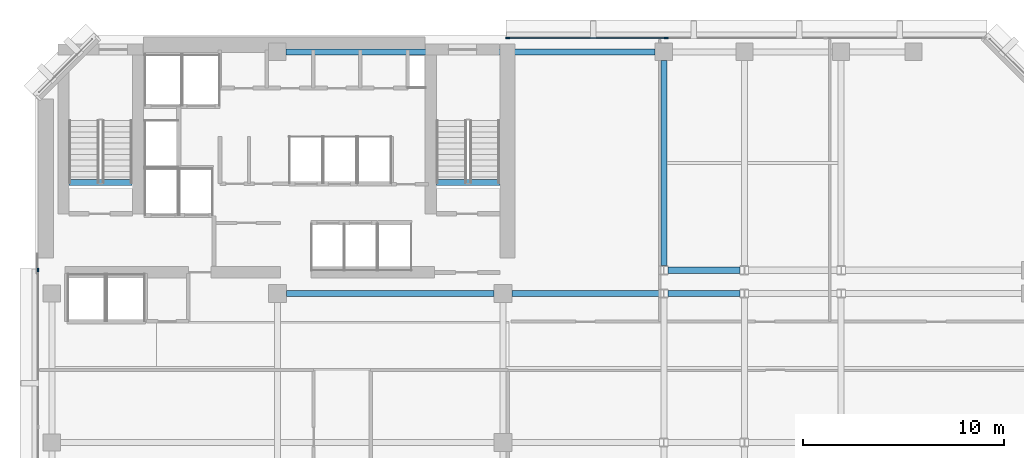
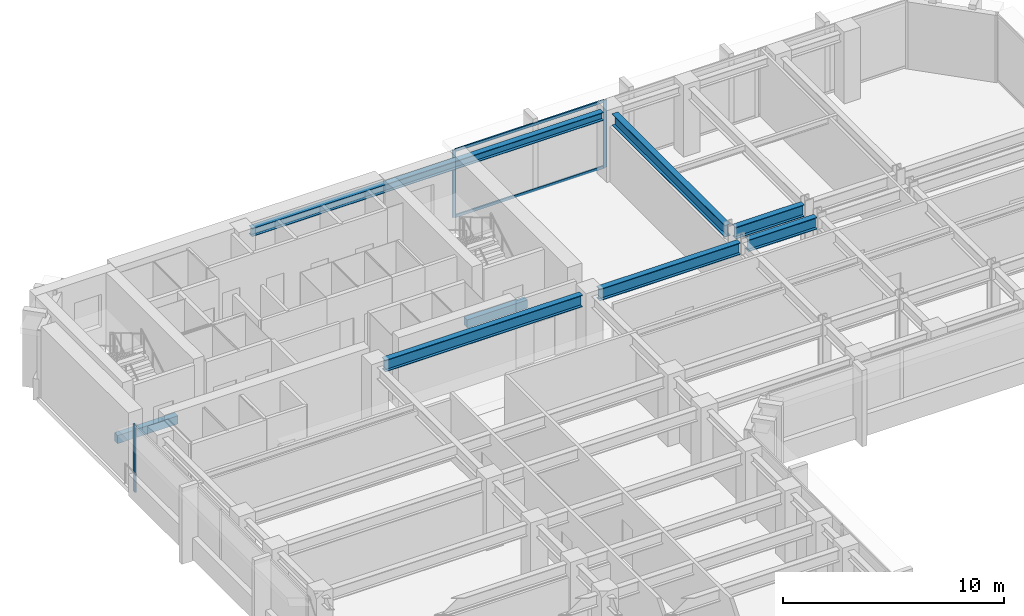
# One storey, part 4 of 11: 8 beams, 5 members, 2 elements without a shape of their own.
"""IFC4 building model written with IfcOpenShell, lengths in metres."""

from ifc_helpers import new_model, si_unit, direction, frame, origin, origin_2d, place, context, subcontext, project, spatial, rectangle, i_section, extrude, material, layer, layer_set, material_profile, profile_set, type_object, element, aggregate, save


model = new_model("IFC4")

# Units and contexts
model_context = context("Model", 3, precision=1e-05, world=origin(), true_north=direction((0.0, 1.0)))
body_context = subcontext(model_context, "Body", "Model", "MODEL_VIEW")
ifc_project = project(units=[si_unit("LENGTHUNIT", "METRE"), si_unit("AREAUNIT", "SQUARE_METRE"), si_unit("VOLUMEUNIT", "CUBIC_METRE"), si_unit("PLANEANGLEUNIT", "RADIAN"), si_unit("MASSUNIT", "GRAM", prefix="KILO")], contexts=[model_context])

# Site, building, storey
site_placement = place(None, origin())
site = spatial("IfcSite", under=ifc_project, at=site_placement, CompositionType="ELEMENT")
building_placement = place(site_placement, origin())
building = spatial("IfcBuilding", under=site, at=building_placement, Name="Kefirva Bronze Tower", CompositionType="ELEMENT")
storey_placement = place(building_placement, frame((0.0, 0.0, 166.64990234375)))
storey = spatial("IfcBuildingStorey", under=building, at=storey_placement, Name="L40", CompositionType="ELEMENT", Elevation=166.64990234375)

# Curtain wall, members
ifc_material_1 = material(Name="Bronze anodised aluminium", Category="aluminium")
ifc_layer = layer(ifc_material_1, 0.199951171875, Name="Bronze anodised aluminium")
ifc_layer_set = layer_set([ifc_layer], Name="Bronze anodised aluminium")
curtain_wall_type = type_object("IfcCurtainWallType", Name="Unitised Bronze Ribbon Curtain Wall Zone 2", PredefinedType="USERDEFINED", material=ifc_layer_set)
curtain_wall_1_placement = place(storey_placement, origin())
curtain_wall_1 = element("IfcCurtainWall", 1, at=curtain_wall_1_placement, inside=storey, type_object=curtain_wall_type, Name="L40 Curtain Wall 5", ObjectType="UNITISED CURTAIN WALL", PredefinedType="USERDEFINED")
ifc_material_profile_1 = material_profile(ifc_material_1, rectangle(XDim=0.074951171875, YDim=0.179931640625, at=origin_2d()), Name="ALU 75x180")
ifc_profile_set_1 = profile_set([ifc_material_profile_1], Name="Bronze anodised aluminium")
member_type_1 = type_object("IfcMemberType", Name="Bronze Mullion 75x180", PredefinedType="MULLION", material=ifc_profile_set_1)
member_1_placement = place(storey_placement, frame((31.318359375, 45.8798828125, 0.0), z_axis=(0.0, 0.0, 1.0), x_axis=(0.0, -1.0, 0.0)))
member_1 = element("IfcMember", 2, at=member_1_placement, type_object=member_type_1, Name="CW-02 mullion 3", PredefinedType="MULLION", context=body_context, shape_type="SweptSolid", body=[
    extrude(rectangle(XDim=0.074951171875, YDim=0.179931640625, at=origin_2d()), origin(), (0.0, 0.0, 1.0), 3.710205078125),
])
member_2_placement = place(storey_placement, frame((23.4423828125, 45.8798828125, 0.0), z_axis=(0.0, 0.0, 1.0), x_axis=(0.0, -1.0, 0.0)))
member_2 = element("IfcMember", 3, at=member_2_placement, type_object=member_type_1, Name="CW-02 mullion 4", PredefinedType="MULLION", context=body_context, shape_type="SweptSolid", body=[
    extrude(rectangle(XDim=0.074951171875, YDim=0.179931640625, at=origin_2d()), origin(), (0.0, 0.0, 1.0), 3.710205078125),
])

# Curtain wall, member
curtain_wall_2_placement = place(storey_placement, origin())
curtain_wall_2 = element("IfcCurtainWall", 4, at=curtain_wall_2_placement, inside=storey, type_object=curtain_wall_type, Name="L40 Curtain Wall 6", ObjectType="UNITISED CURTAIN WALL", PredefinedType="USERDEFINED")
member_3_placement = place(storey_placement, frame((0.1201171875, 34.357421875, 0.0), z_axis=(0.0, 0.0, 1.0), x_axis=(1.0, 0.0, 0.0)))
member_3 = element("IfcMember", 5, at=member_3_placement, type_object=member_type_1, Name="CW-02 mullion 1", PredefinedType="MULLION", context=body_context, shape_type="SweptSolid", body=[
    extrude(rectangle(XDim=0.074951171875, YDim=0.179931640625, at=origin_2d()), origin(), (0.0, 0.0, 1.0), 3.710205078125),
])
aggregate(curtain_wall_2, [member_3])

# Member
ifc_material_profile_2 = material_profile(ifc_material_1, rectangle(XDim=0.074951171875, YDim=0.14990234375, at=origin_2d()), Name="ALU 75x150")
ifc_profile_set_2 = profile_set([ifc_material_profile_2], Name="Bronze anodised aluminium")
member_type_2 = type_object("IfcMemberType", Name="Bronze Transom 75x150", PredefinedType="USERDEFINED", material=ifc_profile_set_2)
member_4_placement = place(storey_placement, frame((31.28076171875, 45.8798828125, 0.03759765625), z_axis=(-1.0, 0.0, 0.0), x_axis=(0.0, -1.0, 0.0)))
member_4 = element("IfcMember", 6, at=member_4_placement, type_object=member_type_2, Name="CW-02 transom 3.1", ObjectType="TRANSOM", PredefinedType="USERDEFINED", context=body_context, shape_type="SweptSolid", body=[
    extrude(rectangle(XDim=0.074951171875, YDim=0.14990234375, at=origin_2d()), origin(), (0.0, 0.0, 1.0), 7.80078125),
])

member_5_placement = place(storey_placement, frame((31.28076171875, 45.8798828125, 3.672607421875), z_axis=(-1.0, 0.0, 0.0), x_axis=(0.0, -1.0, 0.0)))
member_5 = element("IfcMember", 7, at=member_5_placement, type_object=member_type_2, Name="CW-02 transom 3.2", ObjectType="TRANSOM", PredefinedType="USERDEFINED", context=body_context, shape_type="SweptSolid", body=[
    extrude(rectangle(XDim=0.074951171875, YDim=0.14990234375, at=origin_2d()), origin(), (0.0, 0.0, 1.0), 7.80078125),
])

aggregate(curtain_wall_1, [member_1, member_2, member_4, member_5])

# Beams
ifc_material_2 = material(Name="Concrete C50/60", Category="concrete")
ifc_material_profile_3 = material_profile(ifc_material_2, rectangle(XDim=0.300048828125, YDim=0.449951171875, at=origin_2d()), Name="RC 300x450")
ifc_profile_set_3 = profile_set([ifc_material_profile_3], Name="Concrete C50/60")
beam_type_1 = type_object("IfcBeamType", Name="RC Stair Trimmer Beam 300x450", PredefinedType="BEAM", material=ifc_profile_set_3)
beam_1_placement = place(storey_placement, frame((1.64501953125, 38.699951171875, -0.224853515625), z_axis=(1.0, 0.0, 0.0), x_axis=(0.0, 1.0, 0.0)))
element("IfcBeam", 8, at=beam_1_placement, inside=storey, type_object=beam_type_1, Name="L40 Stair 1 Landing Trimmer Beam", PredefinedType="BEAM", context=body_context, shape_type="SweptSolid", body=[
    extrude(rectangle(XDim=0.300048828125, YDim=0.449951171875, at=origin_2d()), origin(), (0.0, 0.0, 1.0), 3.14990234375),
])
beam_2_placement = place(storey_placement, frame((19.89501953125, 38.699951171875, -0.224853515625), z_axis=(1.0, 0.0, 0.0), x_axis=(0.0, 1.0, 0.0)))
element("IfcBeam", 9, at=beam_2_placement, inside=storey, type_object=beam_type_1, Name="L40 Stair 2 Landing Trimmer Beam", PredefinedType="BEAM", context=body_context, shape_type="SweptSolid", body=[
    extrude(rectangle(XDim=0.300048828125, YDim=0.449951171875, at=origin_2d()), origin(), (0.0, 0.0, 1.0), 3.159912109375),
])
ifc_material_3 = material(Name="Steel S355", Category="steel")
ifc_material_profile_4 = material_profile(ifc_material_3, i_section(OverallWidth=0.300048828125, OverallDepth=0.64990234375, WebThickness=0.01611328125, FlangeThickness=0.031005859375, at=origin_2d()), Name="HEB 650")
ifc_profile_set_4 = profile_set([ifc_material_profile_4], Name="Steel S355")
beam_type_2 = type_object("IfcBeamType", Name="Steel Girder HEB 650", PredefinedType="USERDEFINED", material=ifc_profile_set_4)
beam_3_placement = place(storey_placement, frame((12.449951171875, 33.199951171875, 3.385009765625), z_axis=(1.0, 0.0, 0.0), x_axis=(0.0, 1.0, 0.0)))
element("IfcBeam", 10, at=beam_3_placement, inside=storey, type_object=beam_type_2, Name="L40 BM-L40-EW-12-332", ObjectType="GIRDER", PredefinedType="USERDEFINED", context=body_context, shape_type="SweptSolid", body=[
    extrude(i_section(OverallWidth=0.300048828125, OverallDepth=0.64990234375, WebThickness=0.01611328125, FlangeThickness=0.031005859375, at=origin_2d()), origin(), (0.0, 0.0, 1.0), 10.300048828125),
])
beam_4_placement = place(storey_placement, frame((23.64990234375, 33.199951171875, 3.385009765625), z_axis=(1.0, 0.0, 0.0), x_axis=(0.0, 1.0, 0.0)))
element("IfcBeam", 11, at=beam_4_placement, inside=storey, type_object=beam_type_2, Name="L40 BM-L40-EW-23-332", ObjectType="GIRDER", PredefinedType="USERDEFINED", context=body_context, shape_type="SweptSolid", body=[
    extrude(i_section(OverallWidth=0.300048828125, OverallDepth=0.64990234375, WebThickness=0.01611328125, FlangeThickness=0.031005859375, at=origin_2d()), origin(), (0.0, 0.0, 1.0), 7.341064453125),
])
for number, where, z_axis, x_axis, name in (
    (12, (31.408935546875, 33.199951171875, 3.385009765625), (1.0, 0.0, 0.0), (0.0, 1.0, 0.0), "L40 BM-L40-EW-31-332"),
    (13, (31.408935546875, 34.35009765625, 3.385009765625), (1.0, 0.0, 0.0), (0.0, 1.0, 0.0), "L40 BM-L40-EW-31-344"),
):
    element("IfcBeam", number, at=place(storey_placement, frame(where, z_axis=z_axis, x_axis=x_axis)), inside=storey, type_object=beam_type_2, Name=name, ObjectType="GIRDER", PredefinedType="USERDEFINED", context=body_context, shape_type="SweptSolid", body=[
        extrude(i_section(OverallWidth=0.300048828125, OverallDepth=0.64990234375, WebThickness=0.01611328125, FlangeThickness=0.031005859375, at=origin_2d()), origin(), (0.0, 0.0, 1.0), 3.58203125),
    ])
beam_5_placement = place(storey_placement, frame((31.199951171875, 34.577392578125, 3.385009765625), z_axis=(0.0, 1.0, 0.0), x_axis=(-1.0, 0.0, 0.0)))
element("IfcBeam", 14, at=beam_5_placement, inside=storey, type_object=beam_type_2, Name="L40 BM-L40-NS-312-34", ObjectType="GIRDER", PredefinedType="USERDEFINED", context=body_context, shape_type="SweptSolid", body=[
    extrude(i_section(OverallWidth=0.300048828125, OverallDepth=0.64990234375, WebThickness=0.01611328125, FlangeThickness=0.031005859375, at=origin_2d()), origin(), (0.0, 0.0, 1.0), 10.192626953125),
])
ifc_material_profile_5 = material_profile(ifc_material_3, i_section(OverallWidth=0.300048828125, OverallDepth=0.449951171875, WebThickness=0.013916015625, FlangeThickness=0.02587890625, at=origin_2d()), Name="HEB 450")
ifc_profile_set_5 = profile_set([ifc_material_profile_5], Name="Steel S355")
beam_type_3 = type_object("IfcBeamType", Name="Steel Spandrel HEB 450 Ext", PredefinedType="SPANDREL", material=ifc_profile_set_5)
beam_6_placement = place(storey_placement, frame((12.429931640625, 45.199951171875, 3.485107421875), z_axis=(1.0, 0.0, 0.0), x_axis=(0.0, 1.0, 0.0)))
element("IfcBeam", 15, at=beam_6_placement, inside=storey, type_object=beam_type_3, Name="L40 BM-L40-EW-12-452", PredefinedType="SPANDREL", context=body_context, shape_type="SweptSolid", body=[
    extrude(i_section(OverallWidth=0.300048828125, OverallDepth=0.449951171875, WebThickness=0.013916015625, FlangeThickness=0.02587890625, at=origin_2d()), origin(), (0.0, 0.0, 1.0), 18.340087890625),
])

save(model, "model.ifc")
